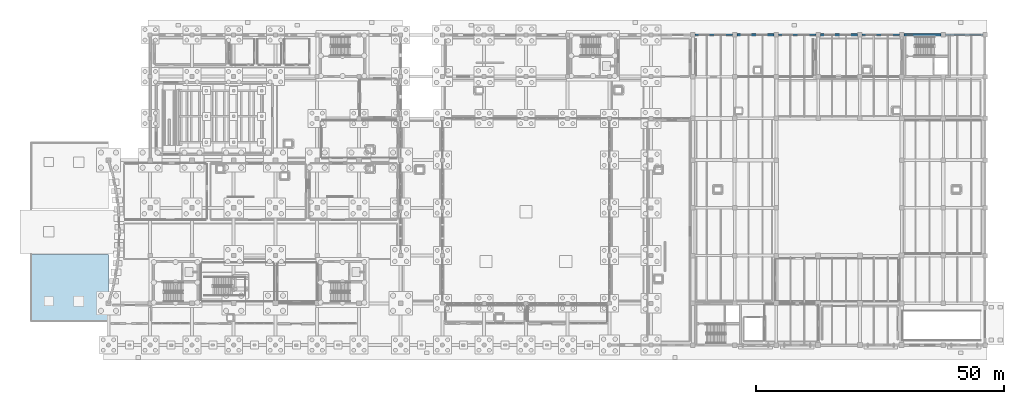
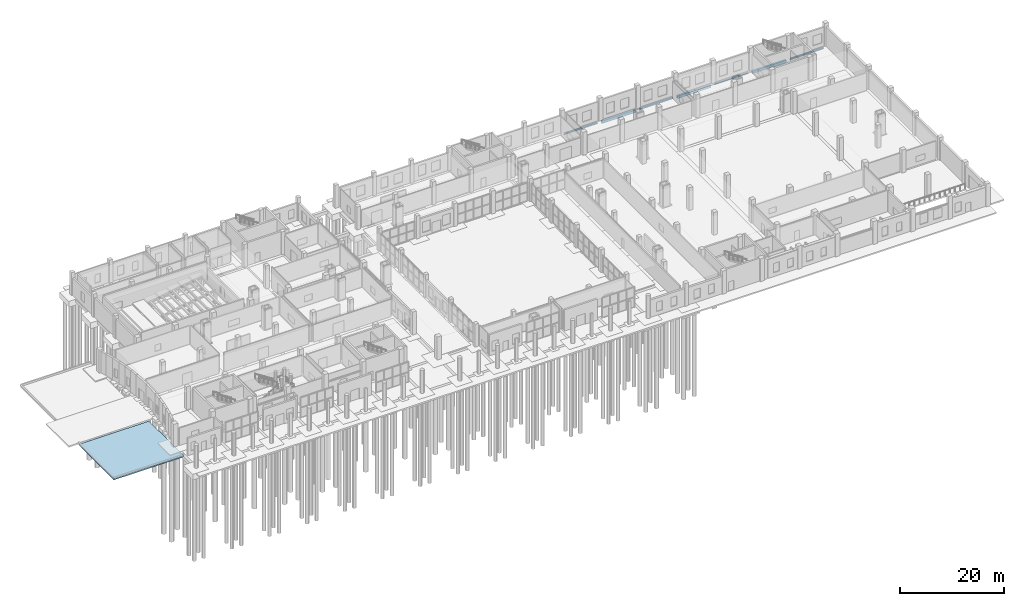
# One storey, part 29 of 65: 7 beams, 1 slab.
"""IFC4 building model written with IfcOpenShell, lengths in metres."""

from ifc_helpers import new_model, si_unit, direction, frame, origin, origin_2d, place, context, subcontext, project, spatial, polyline, rectangle, i_section, outline, extrude, material, layer, layer_set, material_profile, profile_set, type_object, element, save


model = new_model("IFC4")

# Units and contexts
model_context = context("Model", 3, precision=1e-05, world=origin(), true_north=direction((0.0, 1.0)))
body_context = subcontext(model_context, "Body", "Model", "MODEL_VIEW")
ifc_project = project(units=[si_unit("LENGTHUNIT", "METRE"), si_unit("AREAUNIT", "SQUARE_METRE"), si_unit("VOLUMEUNIT", "CUBIC_METRE"), si_unit("PLANEANGLEUNIT", "RADIAN"), si_unit("MASSUNIT", "GRAM", prefix="KILO")], contexts=[model_context])

# Site, building, storey
site_placement = place(None, origin())
site = spatial("IfcSite", under=ifc_project, at=site_placement, CompositionType="ELEMENT")
building_placement = place(site_placement, origin())
building = spatial("IfcBuilding", under=site, at=building_placement, Name="Zulmaris Art Gallery", CompositionType="ELEMENT")
storey_placement = place(building_placement, origin())
storey = spatial("IfcBuildingStorey", under=building, at=storey_placement, Name="L00", CompositionType="ELEMENT", Elevation=0.0)

# Beams
ifc_material_1 = material(Name="Steel S355J2", Category="steel")
ifc_material_profile_1 = material_profile(ifc_material_1, i_section(OverallWidth=0.300048828125, OverallDepth=0.35009765625, WebThickness=0.010009765625, FlangeThickness=0.017578125, FilletRadius=0.027099609375, at=origin_2d()), Name="HEA 360")
ifc_profile_set_1 = profile_set([ifc_material_profile_1], Name="Steel S355J2")
beam_type_1 = type_object("IfcBeamType", Name="BEAM-SP01", PredefinedType="SPANDREL", material=ifc_profile_set_1)
for number, where, z_axis, x_axis, name in (
    (1, (142.034912109375, 75.60009765625, -0.5849609375), (1.0, 0.0, 0.0), (0.0, 1.0, 0.0), "L00 X-girder (141.6..150.0, y=75.6)"),
    (2, (158.8349609375, 75.60009765625, -0.5849609375), (1.0, 0.0, 0.0), (0.0, 1.0, 0.0), "L00 X-girder (158.4..166.8, y=75.6)"),
    (3, (175.635009765625, 75.60009765625, -0.5849609375), (1.0, 0.0, 0.0), (0.0, 1.0, 0.0), "L00 X-girder (175.2..183.6, y=75.6)"),
    (4, (192.43505859375, 75.60009765625, -0.5849609375), (1.0, 0.0, 0.0), (0.0, 1.0, 0.0), "L00 X-girder (192.0..200.4, y=75.6)"),
):
    element("IfcBeam", number, at=place(storey_placement, frame(where, z_axis=z_axis, x_axis=x_axis)), inside=storey, type_object=beam_type_1, Name=name, PredefinedType="SPANDREL", context=body_context, shape_type="SweptSolid", body=[
        extrude(i_section(OverallWidth=0.300048828125, OverallDepth=0.35009765625, WebThickness=0.010009765625, FlangeThickness=0.017578125, FilletRadius=0.027099609375, at=origin_2d()), origin(), (0.0, 0.0, 1.0), 7.530029296875),
    ])
ifc_material_2 = material(Name="Concrete C40/50", Category="concrete")
ifc_material_profile_2 = material_profile(ifc_material_2, rectangle(XDim=0.39990234375, YDim=0.60009765625, at=origin_2d()), Name="RC 400x600")
ifc_profile_set_2 = profile_set([ifc_material_profile_2], Name="Concrete C40/50")
beam_type_2 = type_object("IfcBeamType", Name="BEAM-SP03", PredefinedType="SPANDREL", material=ifc_profile_set_2)
beam_1_placement = place(storey_placement, frame((150.43505859375, 75.60009765625, -0.7099609375), z_axis=(1.0, 0.0, 0.0), x_axis=(0.0, 1.0, 0.0)))
element("IfcBeam", 5, at=beam_1_placement, inside=storey, type_object=beam_type_2, Name="L00 X-girder (150.0..158.4, y=75.6)", PredefinedType="SPANDREL", context=body_context, shape_type="SweptSolid", body=[
    extrude(rectangle(XDim=0.39990234375, YDim=0.60009765625, at=origin_2d()), origin(), (0.0, 0.0, 1.0), 7.530029296875),
])
beam_2_placement = place(storey_placement, frame((167.235107421875, 75.60009765625, -0.7099609375), z_axis=(1.0, 0.0, 0.0), x_axis=(0.0, 1.0, 0.0)))
element("IfcBeam", 6, at=beam_2_placement, inside=storey, type_object=beam_type_2, Name="L00 X-girder (166.8..175.2, y=75.6)", PredefinedType="SPANDREL", context=body_context, shape_type="SweptSolid", body=[
    extrude(rectangle(XDim=0.39990234375, YDim=0.60009765625, at=origin_2d()), origin(), (0.0, 0.0, 1.0), 7.52978515625),
])
beam_3_placement = place(storey_placement, frame((184.034912109375, 75.60009765625, -0.7099609375), z_axis=(1.0, 0.0, 0.0), x_axis=(0.0, 1.0, 0.0)))
element("IfcBeam", 7, at=beam_3_placement, inside=storey, type_object=beam_type_2, Name="L00 X-girder (183.6..192.0, y=75.6)", PredefinedType="SPANDREL", context=body_context, shape_type="SweptSolid", body=[
    extrude(rectangle(XDim=0.39990234375, YDim=0.60009765625, at=origin_2d()), origin(), (0.0, 0.0, 1.0), 7.530029296875),
])

# Slab
ifc_layer = layer(ifc_material_2, 0.2900390625)
ifc_layer_set = layer_set([ifc_layer], Name="Concrete C40/50")
slab_type = type_object("IfcSlabType", Name="SLAB-SL-POOL", PredefinedType="BASESLAB", material=ifc_layer_set)
slab_placement = place(storey_placement, frame((0.0, 0.0, -0.5)))
element("IfcSlab", 8, at=slab_placement, inside=storey, type_object=slab_type, Name="L00 Forecourt Shallow Reflecting Pool Basin S", PredefinedType="BASESLAB", context=body_context, shape_type="SweptSolid", body=[
    extrude(outline(polyline([(24.0, 18.0), (8.39990234375, 18.0), (8.39990234375, 31.449951171875), (24.0, 31.449951171875), (24.0, 22.02587890625), (23.885009765625, 21.6337890625), (23.882080078125, 21.622314453125), (23.880615234375, 21.61083984375), (23.8798828125, 21.59912109375), (23.880615234375, 21.58740234375), (23.882568359375, 21.57568359375), (23.885498046875, 21.564453125), (23.889404296875, 21.553466796875), (23.89453125, 21.54296875), (23.900390625, 21.532958984375), (23.90771484375, 21.5234375), (23.91552734375, 21.514892578125), (23.92431640625, 21.507080078125), (23.93359375, 21.5), (23.943603515625, 21.493896484375), (23.954345703125, 21.489013671875), (23.96533203125, 21.485107421875), (23.976806640625, 21.482421875), (23.98828125, 21.480712890625), (24.0, 21.47998046875), (24.0, 18.0)])), origin(), (0.0, 0.0, 1.0), 0.2900390625),
])

save(model, "model.ifc")
